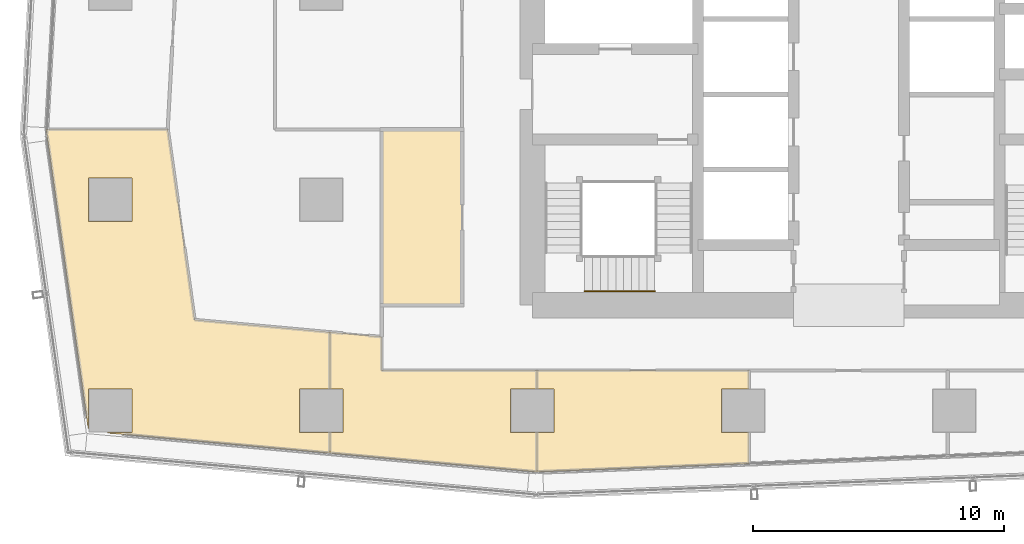
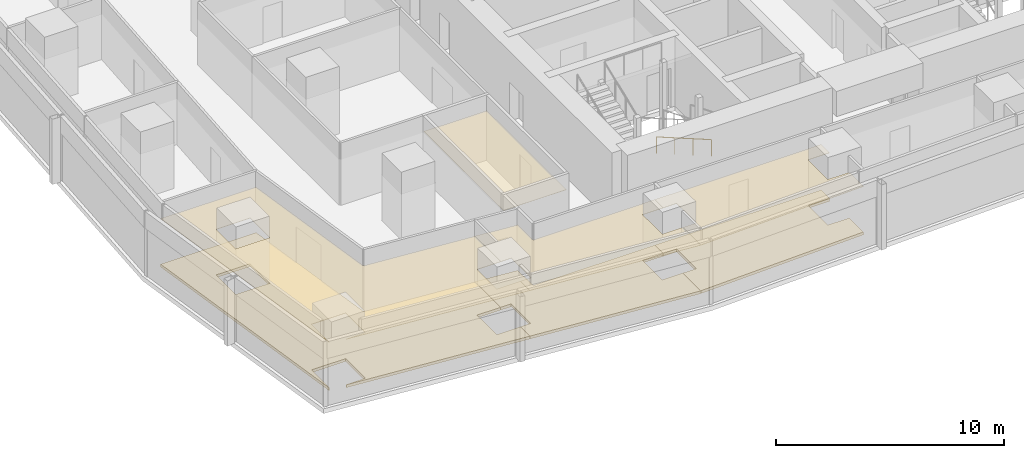
# One storey, part 33 of 40: 7 coverings, 1 railing.
"""IFC4 building model written with IfcOpenShell, lengths in metres."""

from ifc_helpers import new_model, si_unit, direction, frame, origin, origin_2d, place, context, subcontext, project, spatial, polyline, circle, outline, extrude, material, layer, layer_set, type_object, element, save


model = new_model("IFC4")

# Units and contexts
model_context = context("Model", 3, precision=1e-05, world=origin(), true_north=direction((0.0, 1.0)))
body_context = subcontext(model_context, "Body", "Model", "MODEL_VIEW")
ifc_project = project(units=[si_unit("LENGTHUNIT", "METRE"), si_unit("AREAUNIT", "SQUARE_METRE"), si_unit("VOLUMEUNIT", "CUBIC_METRE"), si_unit("PLANEANGLEUNIT", "RADIAN"), si_unit("MASSUNIT", "GRAM", prefix="KILO")], contexts=[model_context])

# Site, building, storey
site_placement = place(None, origin())
site = spatial("IfcSite", under=ifc_project, at=site_placement, CompositionType="ELEMENT")
building_placement = place(site_placement, origin())
building = spatial("IfcBuilding", under=site, at=building_placement, Name="Rekha Terrace Tower", CompositionType="ELEMENT")
storey_placement = place(building_placement, frame((0.0, 0.0, 117.800048828125)))
storey = spatial("IfcBuildingStorey", under=building, at=storey_placement, Name="L29", CompositionType="ELEMENT", Elevation=117.800048828125)

# Coverings
ifc_material_1 = material(Name="Mineral fibre tile in exposed grid", Category="finish")
ifc_layer_1 = layer(ifc_material_1, 0.02001953125)
ifc_layer_set_1 = layer_set([ifc_layer_1], Name="Mineral fibre tile in exposed grid")
covering_type_1 = type_object("IfcCoveringType", Name="CL1 600x1200 office grid ceiling", PredefinedType="CEILING", material=ifc_layer_set_1)
covering_1_placement = place(storey_placement, frame((0.0, 0.0, 2.579833984375)))
element("IfcCovering", 1, at=covering_1_placement, inside=storey, type_object=covering_type_1, Name="Ceiling L29-20", PredefinedType="CEILING", context=body_context, shape_type="SweptSolid", body=[
    extrude(outline(polyline([(7.514892578125, 16.096923828125), (7.534912109375, 16.097900390625), (7.534912109375, 17.6650390625), (9.264892578125, 17.6650390625), (9.264892578125, 15.93505859375), (8.283935546875, 15.93505859375), (8.282958984375, 15.912109375), (17.134033203125, 15.10791015625), (17.134033203125, 15.93505859375), (15.93505859375, 15.93505859375), (15.93505859375, 17.6650390625), (17.134033203125, 17.6650390625), (17.134033203125, 19.927978515625), (11.75390625, 20.416015625), (10.68505859375, 27.9990234375), (5.837890625, 27.9990234375), (7.514892578125, 16.096923828125)]), holes=[polyline([(9.264892578125, 24.3349609375), (7.534912109375, 24.3349609375), (7.534912109375, 26.06494140625), (9.264892578125, 26.06494140625), (9.264892578125, 24.3349609375)])]), origin(), (0.0, 0.0, 1.0), 0.02001953125),
])
covering_2_placement = place(storey_placement, frame((0.0, 0.0, 2.579833984375)))
element("IfcCovering", 2, at=covering_2_placement, inside=storey, type_object=covering_type_1, Name="Ceiling L29-21", PredefinedType="CEILING", context=body_context, shape_type="SweptSolid", body=[
    extrude(outline(polyline([(25.37890625, 17.6650390625), (25.37890625, 18.39990234375), (19.199951171875, 18.39990234375), (19.199951171875, 19.739990234375), (17.135009765625, 19.927978515625), (17.135009765625, 17.6650390625), (17.6650390625, 17.6650390625), (17.6650390625, 15.93505859375), (17.135009765625, 15.93505859375), (17.135009765625, 15.10791015625), (25.37890625, 14.35888671875), (25.37890625, 15.93505859375), (24.3349609375, 15.93505859375), (24.3349609375, 17.6650390625), (25.37890625, 17.6650390625)])), origin(), (0.0, 0.0, 1.0), 0.02001953125),
])
covering_3_placement = place(storey_placement, frame((0.0, 0.0, 2.579833984375)))
element("IfcCovering", 3, at=covering_3_placement, inside=storey, type_object=covering_type_1, Name="Ceiling L29-22", PredefinedType="CEILING", context=body_context, shape_type="SweptSolid", body=[
    extrude(outline(polyline([(25.3798828125, 15.93505859375), (25.3798828125, 14.363037109375), (33.824951171875, 14.69189453125), (33.824951171875, 15.93505859375), (32.735107421875, 15.93505859375), (32.735107421875, 17.6650390625), (33.824951171875, 17.6650390625), (33.824951171875, 18.39990234375), (25.3798828125, 18.39990234375), (25.3798828125, 17.6650390625), (26.06494140625, 17.6650390625), (26.06494140625, 15.93505859375), (25.3798828125, 15.93505859375)])), origin(), (0.0, 0.0, 1.0), 0.02001953125),
])
ifc_material_2 = material(Name="Fibre cement board", Category="finish")
ifc_layer_2 = layer(ifc_material_2, 0.014892578125)
ifc_layer_set_2 = layer_set([ifc_layer_2], Name="Fibre cement board")
covering_type_2 = type_object("IfcCoveringType", Name="CL2 moisture-resistant board ceiling", PredefinedType="CEILING", material=ifc_layer_set_2)
covering_4_placement = place(storey_placement, frame((0.0, 0.0, 2.5849609375)))
element("IfcCovering", 4, at=covering_4_placement, inside=storey, type_object=covering_type_2, Name="Ceiling L29-WCM", PredefinedType="CEILING", context=body_context, shape_type="SweptSolid", body=[
    extrude(outline(polyline([(22.39990234375, 28.0), (19.199951171875, 28.0), (19.199951171875, 21.0), (22.39990234375, 21.0), (22.39990234375, 28.0)])), origin(), (0.0, 0.0, 1.0), 0.014892578125),
])

# Railing
ifc_material_3 = material(Name="Stainless steel tube", Category="steel")
railing_type = type_object("IfcRailingType", Name="HR1 900 stair handrail", PredefinedType="HANDRAIL", material=ifc_material_3)
railing_placement = place(storey_placement, frame((30.074951171875, 21.56005859375, 1.375)))
element("IfcRailing", 5, at=railing_placement, inside=storey, type_object=railing_type, Name="Handrail ST1 L29 flight 2", PredefinedType="HANDRAIL", context=body_context, shape_type="SweptSolid", body=[
    extrude(circle(Radius=0.02392578125, at=origin_2d()), frame((0.0, 0.0, 0.8759765625), z_axis=(-0.927443287984, 0.0, 0.373963831907), x_axis=(0.0, -1.0, 0.0)), (0.0, 0.0, 1.0), 3.00830078125),
    extrude(circle(Radius=0.02099609375, at=origin_2d()), origin(), (0.0, 0.0, 1.0), 0.851806640625),
    extrude(circle(Radius=0.02099609375, at=origin_2d()), frame((-0.929931640625, 0.0, 0.375)), (0.0, 0.0, 1.0), 0.851806640625),
    extrude(circle(Radius=0.02099609375, at=origin_2d()), frame((-1.860107421875, 0.0, 0.75)), (0.0, 0.0, 1.0), 0.851806640625),
    extrude(circle(Radius=0.02099609375, at=origin_2d()), frame((-2.7900390625, 0.0, 1.125)), (0.0, 0.0, 1.0), 0.851806640625),
])

# Coverings
ifc_material_4 = material(Name="Calcium sulphate panels on steel pedestals", Category="steel")
ifc_layer_3 = layer(ifc_material_4, 0.14990234375)
ifc_layer_set_3 = layer_set([ifc_layer_3], Name="Calcium sulphate panels on steel pedestals")
covering_type_3 = type_object("IfcCoveringType", Name="RF1 150 raised access floor", PredefinedType="FLOORING", material=ifc_layer_set_3)
covering_5_placement = place(storey_placement, origin())
element("IfcCovering", 6, at=covering_5_placement, inside=storey, type_object=covering_type_3, Name="Raised floor L29-20", PredefinedType="FLOORING", context=body_context, shape_type="SweptSolid", body=[
    extrude(outline(polyline([(7.514892578125, 16.096923828125), (7.534912109375, 16.097900390625), (7.534912109375, 17.6650390625), (9.264892578125, 17.6650390625), (9.264892578125, 15.93505859375), (8.283935546875, 15.93505859375), (8.282958984375, 15.912109375), (17.134033203125, 15.10791015625), (17.134033203125, 15.93505859375), (15.93505859375, 15.93505859375), (15.93505859375, 17.6650390625), (17.134033203125, 17.6650390625), (17.134033203125, 19.927978515625), (11.75390625, 20.416015625), (10.68505859375, 27.9990234375), (5.837890625, 27.9990234375), (7.514892578125, 16.096923828125)]), holes=[polyline([(9.264892578125, 24.3349609375), (7.534912109375, 24.3349609375), (7.534912109375, 26.06494140625), (9.264892578125, 26.06494140625), (9.264892578125, 24.3349609375)])]), origin(), (0.0, 0.0, 1.0), 0.14990234375),
])
covering_6_placement = place(storey_placement, origin())
element("IfcCovering", 7, at=covering_6_placement, inside=storey, type_object=covering_type_3, Name="Raised floor L29-21", PredefinedType="FLOORING", context=body_context, shape_type="SweptSolid", body=[
    extrude(outline(polyline([(25.37890625, 17.6650390625), (25.37890625, 18.39990234375), (19.199951171875, 18.39990234375), (19.199951171875, 19.739990234375), (17.135009765625, 19.927978515625), (17.135009765625, 17.6650390625), (17.6650390625, 17.6650390625), (17.6650390625, 15.93505859375), (17.135009765625, 15.93505859375), (17.135009765625, 15.10791015625), (25.37890625, 14.35888671875), (25.37890625, 15.93505859375), (24.3349609375, 15.93505859375), (24.3349609375, 17.6650390625), (25.37890625, 17.6650390625)])), origin(), (0.0, 0.0, 1.0), 0.14990234375),
])
covering_7_placement = place(storey_placement, origin())
element("IfcCovering", 8, at=covering_7_placement, inside=storey, type_object=covering_type_3, Name="Raised floor L29-22", PredefinedType="FLOORING", context=body_context, shape_type="SweptSolid", body=[
    extrude(outline(polyline([(25.3798828125, 15.93505859375), (25.3798828125, 14.363037109375), (33.824951171875, 14.69189453125), (33.824951171875, 15.93505859375), (32.735107421875, 15.93505859375), (32.735107421875, 17.6650390625), (33.824951171875, 17.6650390625), (33.824951171875, 18.39990234375), (25.3798828125, 18.39990234375), (25.3798828125, 17.6650390625), (26.06494140625, 17.6650390625), (26.06494140625, 15.93505859375), (25.3798828125, 15.93505859375)])), origin(), (0.0, 0.0, 1.0), 0.14990234375),
])

save(model, "model.ifc")
